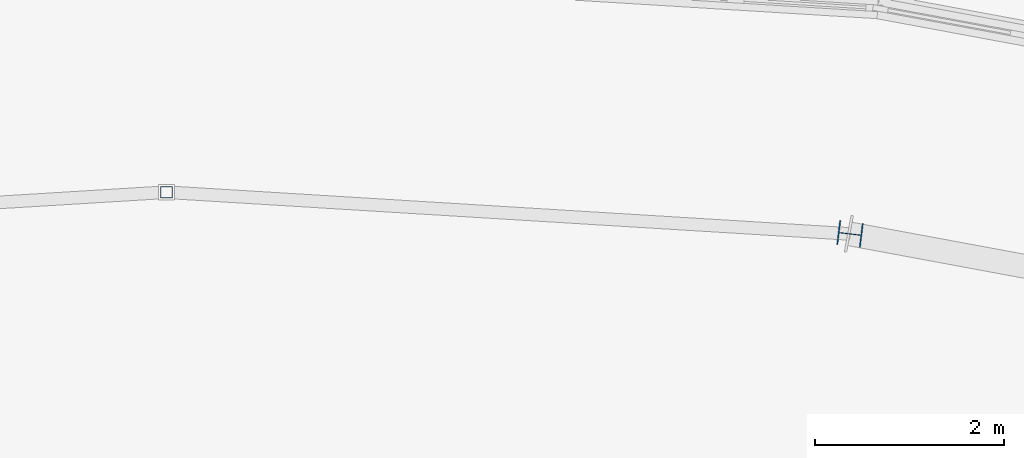
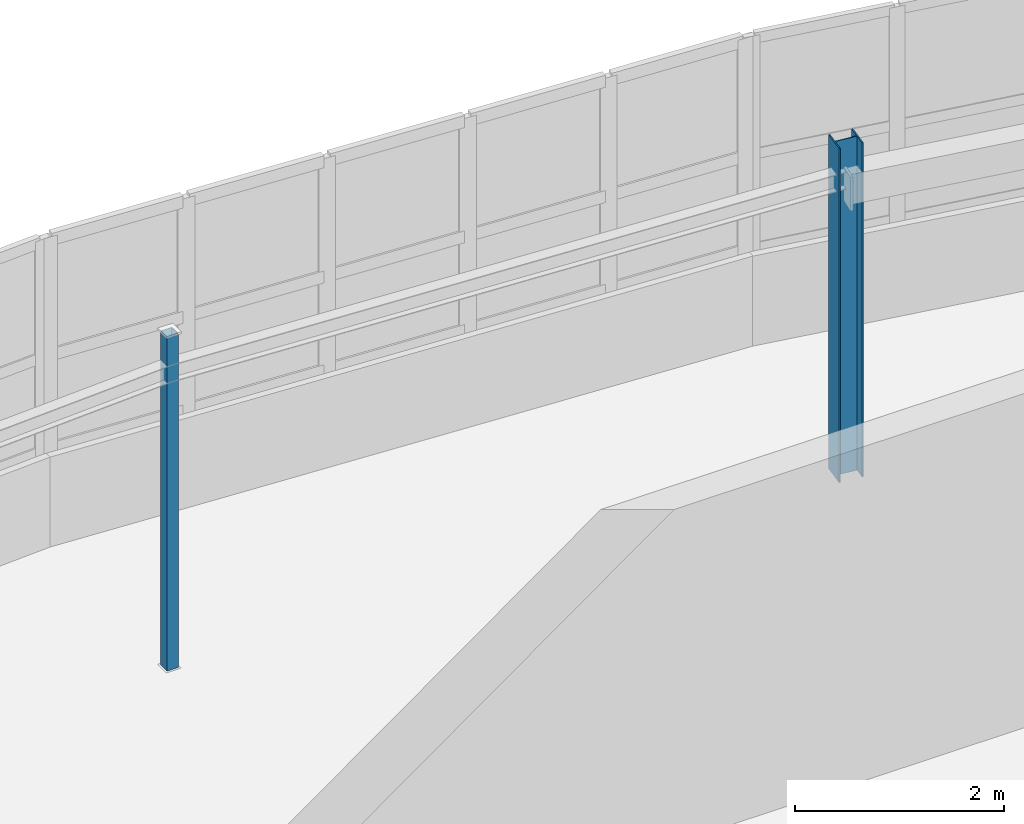
# One storey, part 12 of 128: 2 columns.
"""IFC4 building model written with IfcOpenShell, lengths in metres."""

from ifc_helpers import new_model, si_unit, direction, frame, origin, origin_2d, place, context, subcontext, project, spatial, hollow_rectangle, i_section, extrude, material, material_profile, profile_set, type_object, element, save


model = new_model("IFC4")

# Units and contexts
model_context = context("Model", 3, precision=1e-05, world=origin(), true_north=direction((0.0, 1.0)))
body_context = subcontext(model_context, "Body", "Model", "MODEL_VIEW")
ifc_project = project(units=[si_unit("LENGTHUNIT", "METRE"), si_unit("AREAUNIT", "SQUARE_METRE"), si_unit("VOLUMEUNIT", "CUBIC_METRE"), si_unit("PLANEANGLEUNIT", "RADIAN"), si_unit("MASSUNIT", "GRAM", prefix="KILO")], contexts=[model_context])

# Site, building, storey
site_placement = place(None, origin())
site = spatial("IfcSite", under=ifc_project, at=site_placement, CompositionType="ELEMENT")
building_placement = place(site_placement, origin())
building = spatial("IfcBuilding", under=site, at=building_placement, Name="Tarnwether General Hospital", CompositionType="ELEMENT")
storey_placement = place(building_placement, frame((0.0, 0.0, 14.39990234375)))
storey = spatial("IfcBuildingStorey", under=building, at=storey_placement, Name="L03", CompositionType="ELEMENT", Elevation=14.39990234375)

# Columns
ifc_material_1 = material(Name="Steel Grade 350 (350 MPa)", Category="steel")
ifc_material_profile_1 = material_profile(ifc_material_1, i_section(OverallWidth=0.25390625, OverallDepth=0.25390625, WebThickness=0.008544921875, FlangeThickness=0.01416015625, at=origin_2d()), Name="250UC72.9")
ifc_profile_set_1 = profile_set([ifc_material_profile_1], Name="Steel Grade 350 (350 MPa)")
column_type_1 = type_object("IfcColumnType", Name="COL-24", PredefinedType="COLUMN", material=ifc_profile_set_1)
column_1_placement = place(storey_placement, frame((99.215087890625, 121.759033203125, 0.0), z_axis=(0.0, 0.0, 1.0), x_axis=(0.121869343405, 0.992546151641, 0.0)))
element("IfcColumn", 1, at=column_1_placement, inside=storey, type_object=column_type_1, Name="Column COLG-L03-9922_12176", PredefinedType="COLUMN", context=body_context, shape_type="SweptSolid", body=[
    extrude(i_section(OverallWidth=0.25390625, OverallDepth=0.25390625, WebThickness=0.008544921875, FlangeThickness=0.01416015625, at=origin_2d()), origin(), (0.0, 0.0, 1.0), 3.900146484375),
])
ifc_material_2 = material(Name="Steel Grade C350L0 (350 MPa)", Category="steel")
ifc_material_profile_2 = material_profile(ifc_material_2, hollow_rectangle(XDim=0.125, YDim=0.125, WallThickness=0.006103515625, at=origin_2d()), Name="SHS125x125x6")
ifc_profile_set_2 = profile_set([ifc_material_profile_2], Name="Steel Grade C350L0 (350 MPa)")
column_type_2 = type_object("IfcColumnType", Name="COL-34", PredefinedType="COLUMN", material=ifc_profile_set_2)
column_2_placement = place(storey_placement, frame((92.0, 122.199951171875, 0.0), z_axis=(0.0, 0.0, 1.0), x_axis=(0.0, 1.0, 0.0)))
element("IfcColumn", 2, at=column_2_placement, inside=storey, type_object=column_type_2, Name="Column COLG-L03-9200_12220", PredefinedType="COLUMN", context=body_context, shape_type="SweptSolid", body=[
    extrude(hollow_rectangle(XDim=0.125, YDim=0.125, WallThickness=0.006103515625, at=origin_2d()), origin(), (0.0, 0.0, 1.0), 3.900146484375),
])

save(model, "model.ifc")
